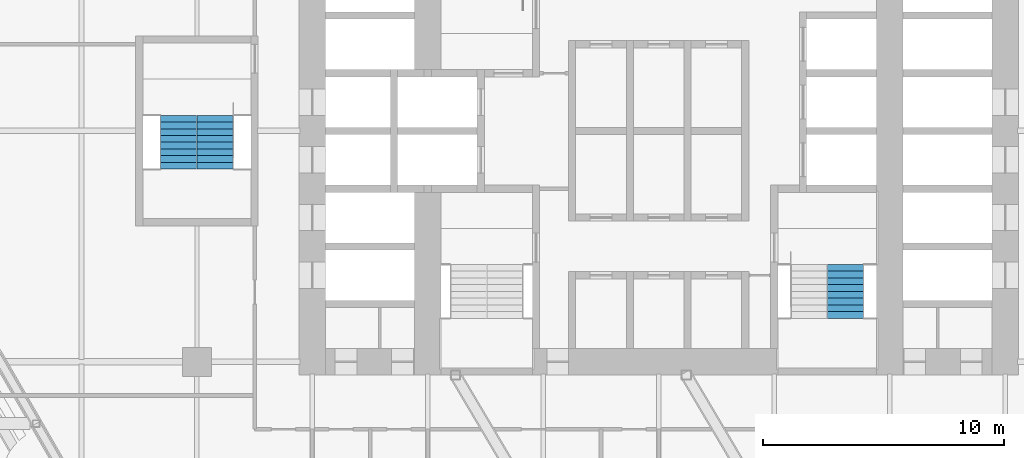
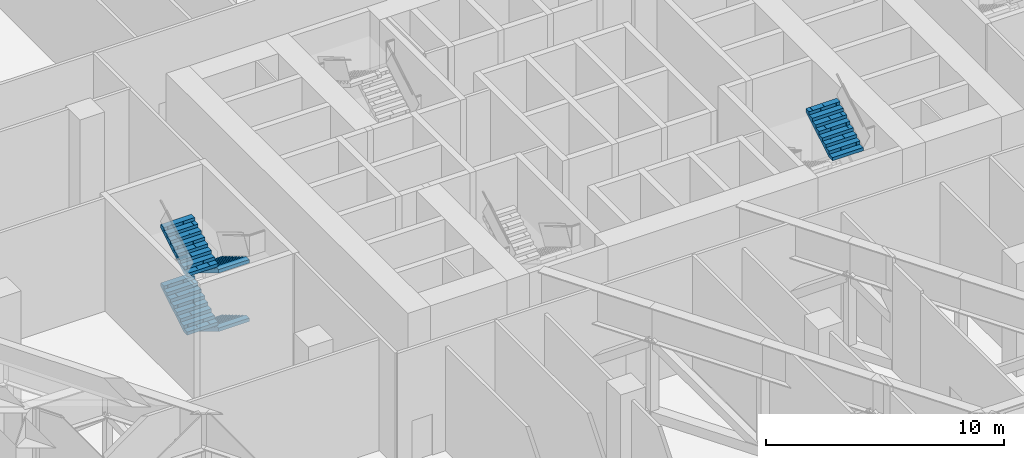
# One storey, part 25 of 35: 5 stair flights, 2 elements without a shape of their own.
"""IFC4 building model written with IfcOpenShell, lengths in metres."""

from ifc_helpers import new_model, si_unit, direction, frame, origin, place, context, subcontext, project, spatial, polyline, outline, extrude, material, type_object, element, aggregate, save


model = new_model("IFC4")

# Units and contexts
model_context = context("Model", 3, precision=1e-05, world=origin(), true_north=direction((0.0, 1.0)))
body_context = subcontext(model_context, "Body", "Model", "MODEL_VIEW")
ifc_project = project(units=[si_unit("LENGTHUNIT", "METRE"), si_unit("AREAUNIT", "SQUARE_METRE"), si_unit("VOLUMEUNIT", "CUBIC_METRE"), si_unit("PLANEANGLEUNIT", "RADIAN"), si_unit("MASSUNIT", "GRAM", prefix="KILO")], contexts=[model_context])

# Site, building, storey
site_placement = place(None, origin())
site = spatial("IfcSite", under=ifc_project, at=site_placement, CompositionType="ELEMENT")
building_placement = place(site_placement, origin())
building = spatial("IfcBuilding", under=site, at=building_placement, Name="Kolab Exchange Tower", CompositionType="ELEMENT")
storey_placement = place(building_placement, frame((0.0, 0.0, 71.89990234375)))
storey = spatial("IfcBuildingStorey", under=building, at=storey_placement, Name="L13", CompositionType="ELEMENT", Elevation=71.89990234375)

# Stair, stair flight
ifc_material = material(Name="Concrete C50/60", Category="concrete")
stair_type_1 = type_object("IfcStairType", Name="STAIR ST2 RISER 166.7", PredefinedType="DOUBLE_RETURN_STAIR", material=ifc_material)
stair_1_placement = place(storey_placement, origin())
stair_1 = element("IfcStair", 1, at=stair_1_placement, inside=storey, type_object=stair_type_1, Name="Stair 2", PredefinedType="DOUBLE_RETURN_STAIR")
stair_flight_type = type_object("IfcStairFlightType", Name="STAIR FLIGHT 1500 RISER 166.7", PredefinedType="STRAIGHT", material=ifc_material)
stair_flight_1_placement = place(storey_placement, frame((7.760009765625, -7.7900390625, 4.5), z_axis=(0.0, 0.0, 1.0), x_axis=(0.0, 1.0, 0.0)))
stair_flight_1 = element("IfcStairFlight", 2, at=stair_flight_1_placement, type_object=stair_flight_type, Name="ST2 flight 4", NumberOfRisers=9, NumberOfTreads=8, PredefinedType="STRAIGHT", RiserHeight=0.166666667, TreadLength=0.28, context=body_context, shape_type="SweptSolid", body=[
    extrude(outline(polyline([(0.0, 0.0), (0.0, 0.166748046875), (0.280029296875, 0.166748046875), (0.280029296875, 0.333251953125), (0.56005859375, 0.333251953125), (0.56005859375, 0.5), (0.840087890625, 0.5), (0.840087890625, 0.666748046875), (1.1201171875, 0.666748046875), (1.1201171875, 0.833251953125), (1.39990234375, 0.833251953125), (1.39990234375, 1.0), (1.679931640625, 1.0), (1.679931640625, 1.166748046875), (1.9599609375, 1.166748046875), (1.9599609375, 1.333251953125), (2.239990234375, 1.333251953125), (2.239990234375, 1.5), (2.239990234375, 1.158935546875), (0.29296875, 0.0), (0.0, 0.0)])), frame((0.0, 0.75, 0.0), z_axis=(0.0, -1.0, 0.0), x_axis=(1.0, 0.0, 0.0)), (0.0, 0.0, 1.0), 0.185791015625),
    extrude(outline(polyline([(0.0, 0.0), (0.0, 0.166748046875), (0.280029296875, 0.166748046875), (0.280029296875, 0.333251953125), (0.56005859375, 0.333251953125), (0.56005859375, 0.5), (0.840087890625, 0.5), (0.840087890625, 0.666748046875), (1.1201171875, 0.666748046875), (1.1201171875, 0.833251953125), (1.39990234375, 0.833251953125), (1.39990234375, 1.0), (1.679931640625, 1.0), (1.679931640625, 1.166748046875), (1.9599609375, 1.166748046875), (1.9599609375, 1.333251953125), (2.239990234375, 1.333251953125), (2.239990234375, 1.5), (2.239990234375, 1.158935546875), (0.29296875, 0.0), (0.0, 0.0)])), frame((0.0, 0.562255859375, 0.0), z_axis=(0.0, -1.0, 0.0), x_axis=(1.0, 0.0, 0.0)), (0.0, 0.0, 1.0), 0.185791015625),
    extrude(outline(polyline([(0.0, 0.0), (0.0, 0.166748046875), (0.280029296875, 0.166748046875), (0.280029296875, 0.333251953125), (0.56005859375, 0.333251953125), (0.56005859375, 0.5), (0.840087890625, 0.5), (0.840087890625, 0.666748046875), (1.1201171875, 0.666748046875), (1.1201171875, 0.833251953125), (1.39990234375, 0.833251953125), (1.39990234375, 1.0), (1.679931640625, 1.0), (1.679931640625, 1.166748046875), (1.9599609375, 1.166748046875), (1.9599609375, 1.333251953125), (2.239990234375, 1.333251953125), (2.239990234375, 1.5), (2.239990234375, 1.158935546875), (0.29296875, 0.0), (0.0, 0.0)])), frame((0.0, 0.37451171875, 0.0), z_axis=(0.0, -1.0, 0.0), x_axis=(1.0, 0.0, 0.0)), (0.0, 0.0, 1.0), 0.185791015625),
    extrude(outline(polyline([(0.0, 0.0), (0.0, 0.166748046875), (0.280029296875, 0.166748046875), (0.280029296875, 0.333251953125), (0.56005859375, 0.333251953125), (0.56005859375, 0.5), (0.840087890625, 0.5), (0.840087890625, 0.666748046875), (1.1201171875, 0.666748046875), (1.1201171875, 0.833251953125), (1.39990234375, 0.833251953125), (1.39990234375, 1.0), (1.679931640625, 1.0), (1.679931640625, 1.166748046875), (1.9599609375, 1.166748046875), (1.9599609375, 1.333251953125), (2.239990234375, 1.333251953125), (2.239990234375, 1.5), (2.239990234375, 1.158935546875), (0.29296875, 0.0), (0.0, 0.0)])), frame((0.0, 0.186767578125, 0.0), z_axis=(0.0, -1.0, 0.0), x_axis=(1.0, 0.0, 0.0)), (0.0, 0.0, 1.0), 0.185791015625),
    extrude(outline(polyline([(0.0, 0.0), (0.0, 0.166748046875), (0.280029296875, 0.166748046875), (0.280029296875, 0.333251953125), (0.56005859375, 0.333251953125), (0.56005859375, 0.5), (0.840087890625, 0.5), (0.840087890625, 0.666748046875), (1.1201171875, 0.666748046875), (1.1201171875, 0.833251953125), (1.39990234375, 0.833251953125), (1.39990234375, 1.0), (1.679931640625, 1.0), (1.679931640625, 1.166748046875), (1.9599609375, 1.166748046875), (1.9599609375, 1.333251953125), (2.239990234375, 1.333251953125), (2.239990234375, 1.5), (2.239990234375, 1.158935546875), (0.29296875, 0.0), (0.0, 0.0)])), frame((0.0, -0.0009765625, 0.0), z_axis=(0.0, -1.0, 0.0), x_axis=(1.0, 0.0, 0.0)), (0.0, 0.0, 1.0), 0.185791015625),
    extrude(outline(polyline([(0.0, 0.0), (0.0, 0.166748046875), (0.280029296875, 0.166748046875), (0.280029296875, 0.333251953125), (0.56005859375, 0.333251953125), (0.56005859375, 0.5), (0.840087890625, 0.5), (0.840087890625, 0.666748046875), (1.1201171875, 0.666748046875), (1.1201171875, 0.833251953125), (1.39990234375, 0.833251953125), (1.39990234375, 1.0), (1.679931640625, 1.0), (1.679931640625, 1.166748046875), (1.9599609375, 1.166748046875), (1.9599609375, 1.333251953125), (2.239990234375, 1.333251953125), (2.239990234375, 1.5), (2.239990234375, 1.158935546875), (0.29296875, 0.0), (0.0, 0.0)])), frame((0.0, -0.188720703125, 0.0), z_axis=(0.0, -1.0, 0.0), x_axis=(1.0, 0.0, 0.0)), (0.0, 0.0, 1.0), 0.185791015625),
    extrude(outline(polyline([(0.0, 0.0), (0.0, 0.166748046875), (0.280029296875, 0.166748046875), (0.280029296875, 0.333251953125), (0.56005859375, 0.333251953125), (0.56005859375, 0.5), (0.840087890625, 0.5), (0.840087890625, 0.666748046875), (1.1201171875, 0.666748046875), (1.1201171875, 0.833251953125), (1.39990234375, 0.833251953125), (1.39990234375, 1.0), (1.679931640625, 1.0), (1.679931640625, 1.166748046875), (1.9599609375, 1.166748046875), (1.9599609375, 1.333251953125), (2.239990234375, 1.333251953125), (2.239990234375, 1.5), (2.239990234375, 1.158935546875), (0.29296875, 0.0), (0.0, 0.0)])), frame((0.0, -0.37646484375, 0.0), z_axis=(0.0, -1.0, 0.0), x_axis=(1.0, 0.0, 0.0)), (0.0, 0.0, 1.0), 0.185791015625),
    extrude(outline(polyline([(0.0, 0.0), (0.0, 0.166748046875), (0.280029296875, 0.166748046875), (0.280029296875, 0.333251953125), (0.56005859375, 0.333251953125), (0.56005859375, 0.5), (0.840087890625, 0.5), (0.840087890625, 0.666748046875), (1.1201171875, 0.666748046875), (1.1201171875, 0.833251953125), (1.39990234375, 0.833251953125), (1.39990234375, 1.0), (1.679931640625, 1.0), (1.679931640625, 1.166748046875), (1.9599609375, 1.166748046875), (1.9599609375, 1.333251953125), (2.239990234375, 1.333251953125), (2.239990234375, 1.5), (2.239990234375, 1.158935546875), (0.29296875, 0.0), (0.0, 0.0)])), frame((0.0, -0.564208984375, 0.0), z_axis=(0.0, -1.0, 0.0), x_axis=(1.0, 0.0, 0.0)), (0.0, 0.0, 1.0), 0.185791015625),
])
aggregate(stair_1, [stair_flight_1])

# Stair, stair flights
stair_type_2 = type_object("IfcStairType", Name="STAIR ST5 RISER 166.7", PredefinedType="DOUBLE_RETURN_STAIR", material=ifc_material)
stair_2_placement = place(storey_placement, origin())
stair_2 = element("IfcStair", 3, at=stair_2_placement, inside=storey, type_object=stair_type_2, Name="Stair 5", PredefinedType="DOUBLE_RETURN_STAIR")
stair_flight_2_placement = place(storey_placement, frame((-18.43994140625, 0.64990234375, 0.0), z_axis=(0.0, 0.0, 1.0), x_axis=(0.0, -1.0, 0.0)))
stair_flight_2 = element("IfcStairFlight", 4, at=stair_flight_2_placement, type_object=stair_flight_type, Name="ST5 flight 1", NumberOfRisers=9, NumberOfTreads=8, PredefinedType="STRAIGHT", RiserHeight=0.166666667, TreadLength=0.28, context=body_context, shape_type="SweptSolid", body=[
    extrude(outline(polyline([(0.0, 0.0), (0.0, 0.166748046875), (0.280029296875, 0.166748046875), (0.280029296875, 0.333251953125), (0.56005859375, 0.333251953125), (0.56005859375, 0.5), (0.840087890625, 0.5), (0.840087890625, 0.666748046875), (1.1201171875, 0.666748046875), (1.1201171875, 0.833251953125), (1.39990234375, 0.833251953125), (1.39990234375, 1.0), (1.679931640625, 1.0), (1.679931640625, 1.166748046875), (1.9599609375, 1.166748046875), (1.9599609375, 1.333251953125), (2.239990234375, 1.333251953125), (2.239990234375, 1.5), (2.239990234375, 1.158935546875), (0.29296875, 0.0), (0.0, 0.0)])), frame((0.0, 0.75, 0.0), z_axis=(0.0, -1.0, 0.0), x_axis=(1.0, 0.0, 0.0)), (0.0, 0.0, 1.0), 0.185791015625),
    extrude(outline(polyline([(0.0, 0.0), (0.0, 0.166748046875), (0.280029296875, 0.166748046875), (0.280029296875, 0.333251953125), (0.56005859375, 0.333251953125), (0.56005859375, 0.5), (0.840087890625, 0.5), (0.840087890625, 0.666748046875), (1.1201171875, 0.666748046875), (1.1201171875, 0.833251953125), (1.39990234375, 0.833251953125), (1.39990234375, 1.0), (1.679931640625, 1.0), (1.679931640625, 1.166748046875), (1.9599609375, 1.166748046875), (1.9599609375, 1.333251953125), (2.239990234375, 1.333251953125), (2.239990234375, 1.5), (2.239990234375, 1.158935546875), (0.29296875, 0.0), (0.0, 0.0)])), frame((0.0, 0.562255859375, 0.0), z_axis=(0.0, -1.0, 0.0), x_axis=(1.0, 0.0, 0.0)), (0.0, 0.0, 1.0), 0.185791015625),
    extrude(outline(polyline([(0.0, 0.0), (0.0, 0.166748046875), (0.280029296875, 0.166748046875), (0.280029296875, 0.333251953125), (0.56005859375, 0.333251953125), (0.56005859375, 0.5), (0.840087890625, 0.5), (0.840087890625, 0.666748046875), (1.1201171875, 0.666748046875), (1.1201171875, 0.833251953125), (1.39990234375, 0.833251953125), (1.39990234375, 1.0), (1.679931640625, 1.0), (1.679931640625, 1.166748046875), (1.9599609375, 1.166748046875), (1.9599609375, 1.333251953125), (2.239990234375, 1.333251953125), (2.239990234375, 1.5), (2.239990234375, 1.158935546875), (0.29296875, 0.0), (0.0, 0.0)])), frame((0.0, 0.37451171875, 0.0), z_axis=(0.0, -1.0, 0.0), x_axis=(1.0, 0.0, 0.0)), (0.0, 0.0, 1.0), 0.185791015625),
    extrude(outline(polyline([(0.0, 0.0), (0.0, 0.166748046875), (0.280029296875, 0.166748046875), (0.280029296875, 0.333251953125), (0.56005859375, 0.333251953125), (0.56005859375, 0.5), (0.840087890625, 0.5), (0.840087890625, 0.666748046875), (1.1201171875, 0.666748046875), (1.1201171875, 0.833251953125), (1.39990234375, 0.833251953125), (1.39990234375, 1.0), (1.679931640625, 1.0), (1.679931640625, 1.166748046875), (1.9599609375, 1.166748046875), (1.9599609375, 1.333251953125), (2.239990234375, 1.333251953125), (2.239990234375, 1.5), (2.239990234375, 1.158935546875), (0.29296875, 0.0), (0.0, 0.0)])), frame((0.0, 0.186767578125, 0.0), z_axis=(0.0, -1.0, 0.0), x_axis=(1.0, 0.0, 0.0)), (0.0, 0.0, 1.0), 0.185791015625),
    extrude(outline(polyline([(0.0, 0.0), (0.0, 0.166748046875), (0.280029296875, 0.166748046875), (0.280029296875, 0.333251953125), (0.56005859375, 0.333251953125), (0.56005859375, 0.5), (0.840087890625, 0.5), (0.840087890625, 0.666748046875), (1.1201171875, 0.666748046875), (1.1201171875, 0.833251953125), (1.39990234375, 0.833251953125), (1.39990234375, 1.0), (1.679931640625, 1.0), (1.679931640625, 1.166748046875), (1.9599609375, 1.166748046875), (1.9599609375, 1.333251953125), (2.239990234375, 1.333251953125), (2.239990234375, 1.5), (2.239990234375, 1.158935546875), (0.29296875, 0.0), (0.0, 0.0)])), frame((0.0, -0.0009765625, 0.0), z_axis=(0.0, -1.0, 0.0), x_axis=(1.0, 0.0, 0.0)), (0.0, 0.0, 1.0), 0.185791015625),
    extrude(outline(polyline([(0.0, 0.0), (0.0, 0.166748046875), (0.280029296875, 0.166748046875), (0.280029296875, 0.333251953125), (0.56005859375, 0.333251953125), (0.56005859375, 0.5), (0.840087890625, 0.5), (0.840087890625, 0.666748046875), (1.1201171875, 0.666748046875), (1.1201171875, 0.833251953125), (1.39990234375, 0.833251953125), (1.39990234375, 1.0), (1.679931640625, 1.0), (1.679931640625, 1.166748046875), (1.9599609375, 1.166748046875), (1.9599609375, 1.333251953125), (2.239990234375, 1.333251953125), (2.239990234375, 1.5), (2.239990234375, 1.158935546875), (0.29296875, 0.0), (0.0, 0.0)])), frame((0.0, -0.188720703125, 0.0), z_axis=(0.0, -1.0, 0.0), x_axis=(1.0, 0.0, 0.0)), (0.0, 0.0, 1.0), 0.185791015625),
    extrude(outline(polyline([(0.0, 0.0), (0.0, 0.166748046875), (0.280029296875, 0.166748046875), (0.280029296875, 0.333251953125), (0.56005859375, 0.333251953125), (0.56005859375, 0.5), (0.840087890625, 0.5), (0.840087890625, 0.666748046875), (1.1201171875, 0.666748046875), (1.1201171875, 0.833251953125), (1.39990234375, 0.833251953125), (1.39990234375, 1.0), (1.679931640625, 1.0), (1.679931640625, 1.166748046875), (1.9599609375, 1.166748046875), (1.9599609375, 1.333251953125), (2.239990234375, 1.333251953125), (2.239990234375, 1.5), (2.239990234375, 1.158935546875), (0.29296875, 0.0), (0.0, 0.0)])), frame((0.0, -0.37646484375, 0.0), z_axis=(0.0, -1.0, 0.0), x_axis=(1.0, 0.0, 0.0)), (0.0, 0.0, 1.0), 0.185791015625),
    extrude(outline(polyline([(0.0, 0.0), (0.0, 0.166748046875), (0.280029296875, 0.166748046875), (0.280029296875, 0.333251953125), (0.56005859375, 0.333251953125), (0.56005859375, 0.5), (0.840087890625, 0.5), (0.840087890625, 0.666748046875), (1.1201171875, 0.666748046875), (1.1201171875, 0.833251953125), (1.39990234375, 0.833251953125), (1.39990234375, 1.0), (1.679931640625, 1.0), (1.679931640625, 1.166748046875), (1.9599609375, 1.166748046875), (1.9599609375, 1.333251953125), (2.239990234375, 1.333251953125), (2.239990234375, 1.5), (2.239990234375, 1.158935546875), (0.29296875, 0.0), (0.0, 0.0)])), frame((0.0, -0.564208984375, 0.0), z_axis=(0.0, -1.0, 0.0), x_axis=(1.0, 0.0, 0.0)), (0.0, 0.0, 1.0), 0.185791015625),
])
stair_flight_3_placement = place(storey_placement, frame((-19.9599609375, -1.590087890625, 1.5), z_axis=(0.0, 0.0, 1.0), x_axis=(0.0, 1.0, 0.0)))
stair_flight_3 = element("IfcStairFlight", 5, at=stair_flight_3_placement, type_object=stair_flight_type, Name="ST5 flight 2", NumberOfRisers=9, NumberOfTreads=8, PredefinedType="STRAIGHT", RiserHeight=0.166666667, TreadLength=0.28, context=body_context, shape_type="SweptSolid", body=[
    extrude(outline(polyline([(0.0, 0.0), (0.0, 0.166748046875), (0.280029296875, 0.166748046875), (0.280029296875, 0.333251953125), (0.56005859375, 0.333251953125), (0.56005859375, 0.5), (0.840087890625, 0.5), (0.840087890625, 0.666748046875), (1.1201171875, 0.666748046875), (1.1201171875, 0.833251953125), (1.39990234375, 0.833251953125), (1.39990234375, 1.0), (1.679931640625, 1.0), (1.679931640625, 1.166748046875), (1.9599609375, 1.166748046875), (1.9599609375, 1.333251953125), (2.239990234375, 1.333251953125), (2.239990234375, 1.5), (2.239990234375, 1.158935546875), (0.29296875, 0.0), (0.0, 0.0)])), frame((0.0, 0.75, 0.0), z_axis=(0.0, -1.0, 0.0), x_axis=(1.0, 0.0, 0.0)), (0.0, 0.0, 1.0), 0.185791015625),
    extrude(outline(polyline([(0.0, 0.0), (0.0, 0.166748046875), (0.280029296875, 0.166748046875), (0.280029296875, 0.333251953125), (0.56005859375, 0.333251953125), (0.56005859375, 0.5), (0.840087890625, 0.5), (0.840087890625, 0.666748046875), (1.1201171875, 0.666748046875), (1.1201171875, 0.833251953125), (1.39990234375, 0.833251953125), (1.39990234375, 1.0), (1.679931640625, 1.0), (1.679931640625, 1.166748046875), (1.9599609375, 1.166748046875), (1.9599609375, 1.333251953125), (2.239990234375, 1.333251953125), (2.239990234375, 1.5), (2.239990234375, 1.158935546875), (0.29296875, 0.0), (0.0, 0.0)])), frame((0.0, 0.562255859375, 0.0), z_axis=(0.0, -1.0, 0.0), x_axis=(1.0, 0.0, 0.0)), (0.0, 0.0, 1.0), 0.185791015625),
    extrude(outline(polyline([(0.0, 0.0), (0.0, 0.166748046875), (0.280029296875, 0.166748046875), (0.280029296875, 0.333251953125), (0.56005859375, 0.333251953125), (0.56005859375, 0.5), (0.840087890625, 0.5), (0.840087890625, 0.666748046875), (1.1201171875, 0.666748046875), (1.1201171875, 0.833251953125), (1.39990234375, 0.833251953125), (1.39990234375, 1.0), (1.679931640625, 1.0), (1.679931640625, 1.166748046875), (1.9599609375, 1.166748046875), (1.9599609375, 1.333251953125), (2.239990234375, 1.333251953125), (2.239990234375, 1.5), (2.239990234375, 1.158935546875), (0.29296875, 0.0), (0.0, 0.0)])), frame((0.0, 0.37451171875, 0.0), z_axis=(0.0, -1.0, 0.0), x_axis=(1.0, 0.0, 0.0)), (0.0, 0.0, 1.0), 0.185791015625),
    extrude(outline(polyline([(0.0, 0.0), (0.0, 0.166748046875), (0.280029296875, 0.166748046875), (0.280029296875, 0.333251953125), (0.56005859375, 0.333251953125), (0.56005859375, 0.5), (0.840087890625, 0.5), (0.840087890625, 0.666748046875), (1.1201171875, 0.666748046875), (1.1201171875, 0.833251953125), (1.39990234375, 0.833251953125), (1.39990234375, 1.0), (1.679931640625, 1.0), (1.679931640625, 1.166748046875), (1.9599609375, 1.166748046875), (1.9599609375, 1.333251953125), (2.239990234375, 1.333251953125), (2.239990234375, 1.5), (2.239990234375, 1.158935546875), (0.29296875, 0.0), (0.0, 0.0)])), frame((0.0, 0.186767578125, 0.0), z_axis=(0.0, -1.0, 0.0), x_axis=(1.0, 0.0, 0.0)), (0.0, 0.0, 1.0), 0.185791015625),
    extrude(outline(polyline([(0.0, 0.0), (0.0, 0.166748046875), (0.280029296875, 0.166748046875), (0.280029296875, 0.333251953125), (0.56005859375, 0.333251953125), (0.56005859375, 0.5), (0.840087890625, 0.5), (0.840087890625, 0.666748046875), (1.1201171875, 0.666748046875), (1.1201171875, 0.833251953125), (1.39990234375, 0.833251953125), (1.39990234375, 1.0), (1.679931640625, 1.0), (1.679931640625, 1.166748046875), (1.9599609375, 1.166748046875), (1.9599609375, 1.333251953125), (2.239990234375, 1.333251953125), (2.239990234375, 1.5), (2.239990234375, 1.158935546875), (0.29296875, 0.0), (0.0, 0.0)])), frame((0.0, -0.0009765625, 0.0), z_axis=(0.0, -1.0, 0.0), x_axis=(1.0, 0.0, 0.0)), (0.0, 0.0, 1.0), 0.185791015625),
    extrude(outline(polyline([(0.0, 0.0), (0.0, 0.166748046875), (0.280029296875, 0.166748046875), (0.280029296875, 0.333251953125), (0.56005859375, 0.333251953125), (0.56005859375, 0.5), (0.840087890625, 0.5), (0.840087890625, 0.666748046875), (1.1201171875, 0.666748046875), (1.1201171875, 0.833251953125), (1.39990234375, 0.833251953125), (1.39990234375, 1.0), (1.679931640625, 1.0), (1.679931640625, 1.166748046875), (1.9599609375, 1.166748046875), (1.9599609375, 1.333251953125), (2.239990234375, 1.333251953125), (2.239990234375, 1.5), (2.239990234375, 1.158935546875), (0.29296875, 0.0), (0.0, 0.0)])), frame((0.0, -0.188720703125, 0.0), z_axis=(0.0, -1.0, 0.0), x_axis=(1.0, 0.0, 0.0)), (0.0, 0.0, 1.0), 0.185791015625),
    extrude(outline(polyline([(0.0, 0.0), (0.0, 0.166748046875), (0.280029296875, 0.166748046875), (0.280029296875, 0.333251953125), (0.56005859375, 0.333251953125), (0.56005859375, 0.5), (0.840087890625, 0.5), (0.840087890625, 0.666748046875), (1.1201171875, 0.666748046875), (1.1201171875, 0.833251953125), (1.39990234375, 0.833251953125), (1.39990234375, 1.0), (1.679931640625, 1.0), (1.679931640625, 1.166748046875), (1.9599609375, 1.166748046875), (1.9599609375, 1.333251953125), (2.239990234375, 1.333251953125), (2.239990234375, 1.5), (2.239990234375, 1.158935546875), (0.29296875, 0.0), (0.0, 0.0)])), frame((0.0, -0.37646484375, 0.0), z_axis=(0.0, -1.0, 0.0), x_axis=(1.0, 0.0, 0.0)), (0.0, 0.0, 1.0), 0.185791015625),
    extrude(outline(polyline([(0.0, 0.0), (0.0, 0.166748046875), (0.280029296875, 0.166748046875), (0.280029296875, 0.333251953125), (0.56005859375, 0.333251953125), (0.56005859375, 0.5), (0.840087890625, 0.5), (0.840087890625, 0.666748046875), (1.1201171875, 0.666748046875), (1.1201171875, 0.833251953125), (1.39990234375, 0.833251953125), (1.39990234375, 1.0), (1.679931640625, 1.0), (1.679931640625, 1.166748046875), (1.9599609375, 1.166748046875), (1.9599609375, 1.333251953125), (2.239990234375, 1.333251953125), (2.239990234375, 1.5), (2.239990234375, 1.158935546875), (0.29296875, 0.0), (0.0, 0.0)])), frame((0.0, -0.564208984375, 0.0), z_axis=(0.0, -1.0, 0.0), x_axis=(1.0, 0.0, 0.0)), (0.0, 0.0, 1.0), 0.185791015625),
])
stair_flight_4_placement = place(storey_placement, frame((-18.43994140625, 0.64990234375, 3.0), z_axis=(0.0, 0.0, 1.0), x_axis=(0.0, -1.0, 0.0)))
stair_flight_4 = element("IfcStairFlight", 6, at=stair_flight_4_placement, type_object=stair_flight_type, Name="ST5 flight 3", NumberOfRisers=9, NumberOfTreads=8, PredefinedType="STRAIGHT", RiserHeight=0.166666667, TreadLength=0.28, context=body_context, shape_type="SweptSolid", body=[
    extrude(outline(polyline([(0.0, 0.0), (0.0, 0.166748046875), (0.280029296875, 0.166748046875), (0.280029296875, 0.333251953125), (0.56005859375, 0.333251953125), (0.56005859375, 0.5), (0.840087890625, 0.5), (0.840087890625, 0.666748046875), (1.1201171875, 0.666748046875), (1.1201171875, 0.833251953125), (1.39990234375, 0.833251953125), (1.39990234375, 1.0), (1.679931640625, 1.0), (1.679931640625, 1.166748046875), (1.9599609375, 1.166748046875), (1.9599609375, 1.333251953125), (2.239990234375, 1.333251953125), (2.239990234375, 1.5), (2.239990234375, 1.158935546875), (0.29296875, 0.0), (0.0, 0.0)])), frame((0.0, 0.75, 0.0), z_axis=(0.0, -1.0, 0.0), x_axis=(1.0, 0.0, 0.0)), (0.0, 0.0, 1.0), 0.185791015625),
    extrude(outline(polyline([(0.0, 0.0), (0.0, 0.166748046875), (0.280029296875, 0.166748046875), (0.280029296875, 0.333251953125), (0.56005859375, 0.333251953125), (0.56005859375, 0.5), (0.840087890625, 0.5), (0.840087890625, 0.666748046875), (1.1201171875, 0.666748046875), (1.1201171875, 0.833251953125), (1.39990234375, 0.833251953125), (1.39990234375, 1.0), (1.679931640625, 1.0), (1.679931640625, 1.166748046875), (1.9599609375, 1.166748046875), (1.9599609375, 1.333251953125), (2.239990234375, 1.333251953125), (2.239990234375, 1.5), (2.239990234375, 1.158935546875), (0.29296875, 0.0), (0.0, 0.0)])), frame((0.0, 0.562255859375, 0.0), z_axis=(0.0, -1.0, 0.0), x_axis=(1.0, 0.0, 0.0)), (0.0, 0.0, 1.0), 0.185791015625),
    extrude(outline(polyline([(0.0, 0.0), (0.0, 0.166748046875), (0.280029296875, 0.166748046875), (0.280029296875, 0.333251953125), (0.56005859375, 0.333251953125), (0.56005859375, 0.5), (0.840087890625, 0.5), (0.840087890625, 0.666748046875), (1.1201171875, 0.666748046875), (1.1201171875, 0.833251953125), (1.39990234375, 0.833251953125), (1.39990234375, 1.0), (1.679931640625, 1.0), (1.679931640625, 1.166748046875), (1.9599609375, 1.166748046875), (1.9599609375, 1.333251953125), (2.239990234375, 1.333251953125), (2.239990234375, 1.5), (2.239990234375, 1.158935546875), (0.29296875, 0.0), (0.0, 0.0)])), frame((0.0, 0.37451171875, 0.0), z_axis=(0.0, -1.0, 0.0), x_axis=(1.0, 0.0, 0.0)), (0.0, 0.0, 1.0), 0.185791015625),
    extrude(outline(polyline([(0.0, 0.0), (0.0, 0.166748046875), (0.280029296875, 0.166748046875), (0.280029296875, 0.333251953125), (0.56005859375, 0.333251953125), (0.56005859375, 0.5), (0.840087890625, 0.5), (0.840087890625, 0.666748046875), (1.1201171875, 0.666748046875), (1.1201171875, 0.833251953125), (1.39990234375, 0.833251953125), (1.39990234375, 1.0), (1.679931640625, 1.0), (1.679931640625, 1.166748046875), (1.9599609375, 1.166748046875), (1.9599609375, 1.333251953125), (2.239990234375, 1.333251953125), (2.239990234375, 1.5), (2.239990234375, 1.158935546875), (0.29296875, 0.0), (0.0, 0.0)])), frame((0.0, 0.186767578125, 0.0), z_axis=(0.0, -1.0, 0.0), x_axis=(1.0, 0.0, 0.0)), (0.0, 0.0, 1.0), 0.185791015625),
    extrude(outline(polyline([(0.0, 0.0), (0.0, 0.166748046875), (0.280029296875, 0.166748046875), (0.280029296875, 0.333251953125), (0.56005859375, 0.333251953125), (0.56005859375, 0.5), (0.840087890625, 0.5), (0.840087890625, 0.666748046875), (1.1201171875, 0.666748046875), (1.1201171875, 0.833251953125), (1.39990234375, 0.833251953125), (1.39990234375, 1.0), (1.679931640625, 1.0), (1.679931640625, 1.166748046875), (1.9599609375, 1.166748046875), (1.9599609375, 1.333251953125), (2.239990234375, 1.333251953125), (2.239990234375, 1.5), (2.239990234375, 1.158935546875), (0.29296875, 0.0), (0.0, 0.0)])), frame((0.0, -0.0009765625, 0.0), z_axis=(0.0, -1.0, 0.0), x_axis=(1.0, 0.0, 0.0)), (0.0, 0.0, 1.0), 0.185791015625),
    extrude(outline(polyline([(0.0, 0.0), (0.0, 0.166748046875), (0.280029296875, 0.166748046875), (0.280029296875, 0.333251953125), (0.56005859375, 0.333251953125), (0.56005859375, 0.5), (0.840087890625, 0.5), (0.840087890625, 0.666748046875), (1.1201171875, 0.666748046875), (1.1201171875, 0.833251953125), (1.39990234375, 0.833251953125), (1.39990234375, 1.0), (1.679931640625, 1.0), (1.679931640625, 1.166748046875), (1.9599609375, 1.166748046875), (1.9599609375, 1.333251953125), (2.239990234375, 1.333251953125), (2.239990234375, 1.5), (2.239990234375, 1.158935546875), (0.29296875, 0.0), (0.0, 0.0)])), frame((0.0, -0.188720703125, 0.0), z_axis=(0.0, -1.0, 0.0), x_axis=(1.0, 0.0, 0.0)), (0.0, 0.0, 1.0), 0.185791015625),
    extrude(outline(polyline([(0.0, 0.0), (0.0, 0.166748046875), (0.280029296875, 0.166748046875), (0.280029296875, 0.333251953125), (0.56005859375, 0.333251953125), (0.56005859375, 0.5), (0.840087890625, 0.5), (0.840087890625, 0.666748046875), (1.1201171875, 0.666748046875), (1.1201171875, 0.833251953125), (1.39990234375, 0.833251953125), (1.39990234375, 1.0), (1.679931640625, 1.0), (1.679931640625, 1.166748046875), (1.9599609375, 1.166748046875), (1.9599609375, 1.333251953125), (2.239990234375, 1.333251953125), (2.239990234375, 1.5), (2.239990234375, 1.158935546875), (0.29296875, 0.0), (0.0, 0.0)])), frame((0.0, -0.37646484375, 0.0), z_axis=(0.0, -1.0, 0.0), x_axis=(1.0, 0.0, 0.0)), (0.0, 0.0, 1.0), 0.185791015625),
    extrude(outline(polyline([(0.0, 0.0), (0.0, 0.166748046875), (0.280029296875, 0.166748046875), (0.280029296875, 0.333251953125), (0.56005859375, 0.333251953125), (0.56005859375, 0.5), (0.840087890625, 0.5), (0.840087890625, 0.666748046875), (1.1201171875, 0.666748046875), (1.1201171875, 0.833251953125), (1.39990234375, 0.833251953125), (1.39990234375, 1.0), (1.679931640625, 1.0), (1.679931640625, 1.166748046875), (1.9599609375, 1.166748046875), (1.9599609375, 1.333251953125), (2.239990234375, 1.333251953125), (2.239990234375, 1.5), (2.239990234375, 1.158935546875), (0.29296875, 0.0), (0.0, 0.0)])), frame((0.0, -0.564208984375, 0.0), z_axis=(0.0, -1.0, 0.0), x_axis=(1.0, 0.0, 0.0)), (0.0, 0.0, 1.0), 0.185791015625),
])
stair_flight_5_placement = place(storey_placement, frame((-19.9599609375, -1.590087890625, 4.5), z_axis=(0.0, 0.0, 1.0), x_axis=(0.0, 1.0, 0.0)))
stair_flight_5 = element("IfcStairFlight", 7, at=stair_flight_5_placement, type_object=stair_flight_type, Name="ST5 flight 4", NumberOfRisers=9, NumberOfTreads=8, PredefinedType="STRAIGHT", RiserHeight=0.166666667, TreadLength=0.28, context=body_context, shape_type="SweptSolid", body=[
    extrude(outline(polyline([(0.0, 0.0), (0.0, 0.166748046875), (0.280029296875, 0.166748046875), (0.280029296875, 0.333251953125), (0.56005859375, 0.333251953125), (0.56005859375, 0.5), (0.840087890625, 0.5), (0.840087890625, 0.666748046875), (1.1201171875, 0.666748046875), (1.1201171875, 0.833251953125), (1.39990234375, 0.833251953125), (1.39990234375, 1.0), (1.679931640625, 1.0), (1.679931640625, 1.166748046875), (1.9599609375, 1.166748046875), (1.9599609375, 1.333251953125), (2.239990234375, 1.333251953125), (2.239990234375, 1.5), (2.239990234375, 1.158935546875), (0.29296875, 0.0), (0.0, 0.0)])), frame((0.0, 0.75, 0.0), z_axis=(0.0, -1.0, 0.0), x_axis=(1.0, 0.0, 0.0)), (0.0, 0.0, 1.0), 0.185791015625),
    extrude(outline(polyline([(0.0, 0.0), (0.0, 0.166748046875), (0.280029296875, 0.166748046875), (0.280029296875, 0.333251953125), (0.56005859375, 0.333251953125), (0.56005859375, 0.5), (0.840087890625, 0.5), (0.840087890625, 0.666748046875), (1.1201171875, 0.666748046875), (1.1201171875, 0.833251953125), (1.39990234375, 0.833251953125), (1.39990234375, 1.0), (1.679931640625, 1.0), (1.679931640625, 1.166748046875), (1.9599609375, 1.166748046875), (1.9599609375, 1.333251953125), (2.239990234375, 1.333251953125), (2.239990234375, 1.5), (2.239990234375, 1.158935546875), (0.29296875, 0.0), (0.0, 0.0)])), frame((0.0, 0.562255859375, 0.0), z_axis=(0.0, -1.0, 0.0), x_axis=(1.0, 0.0, 0.0)), (0.0, 0.0, 1.0), 0.185791015625),
    extrude(outline(polyline([(0.0, 0.0), (0.0, 0.166748046875), (0.280029296875, 0.166748046875), (0.280029296875, 0.333251953125), (0.56005859375, 0.333251953125), (0.56005859375, 0.5), (0.840087890625, 0.5), (0.840087890625, 0.666748046875), (1.1201171875, 0.666748046875), (1.1201171875, 0.833251953125), (1.39990234375, 0.833251953125), (1.39990234375, 1.0), (1.679931640625, 1.0), (1.679931640625, 1.166748046875), (1.9599609375, 1.166748046875), (1.9599609375, 1.333251953125), (2.239990234375, 1.333251953125), (2.239990234375, 1.5), (2.239990234375, 1.158935546875), (0.29296875, 0.0), (0.0, 0.0)])), frame((0.0, 0.37451171875, 0.0), z_axis=(0.0, -1.0, 0.0), x_axis=(1.0, 0.0, 0.0)), (0.0, 0.0, 1.0), 0.185791015625),
    extrude(outline(polyline([(0.0, 0.0), (0.0, 0.166748046875), (0.280029296875, 0.166748046875), (0.280029296875, 0.333251953125), (0.56005859375, 0.333251953125), (0.56005859375, 0.5), (0.840087890625, 0.5), (0.840087890625, 0.666748046875), (1.1201171875, 0.666748046875), (1.1201171875, 0.833251953125), (1.39990234375, 0.833251953125), (1.39990234375, 1.0), (1.679931640625, 1.0), (1.679931640625, 1.166748046875), (1.9599609375, 1.166748046875), (1.9599609375, 1.333251953125), (2.239990234375, 1.333251953125), (2.239990234375, 1.5), (2.239990234375, 1.158935546875), (0.29296875, 0.0), (0.0, 0.0)])), frame((0.0, 0.186767578125, 0.0), z_axis=(0.0, -1.0, 0.0), x_axis=(1.0, 0.0, 0.0)), (0.0, 0.0, 1.0), 0.185791015625),
    extrude(outline(polyline([(0.0, 0.0), (0.0, 0.166748046875), (0.280029296875, 0.166748046875), (0.280029296875, 0.333251953125), (0.56005859375, 0.333251953125), (0.56005859375, 0.5), (0.840087890625, 0.5), (0.840087890625, 0.666748046875), (1.1201171875, 0.666748046875), (1.1201171875, 0.833251953125), (1.39990234375, 0.833251953125), (1.39990234375, 1.0), (1.679931640625, 1.0), (1.679931640625, 1.166748046875), (1.9599609375, 1.166748046875), (1.9599609375, 1.333251953125), (2.239990234375, 1.333251953125), (2.239990234375, 1.5), (2.239990234375, 1.158935546875), (0.29296875, 0.0), (0.0, 0.0)])), frame((0.0, -0.0009765625, 0.0), z_axis=(0.0, -1.0, 0.0), x_axis=(1.0, 0.0, 0.0)), (0.0, 0.0, 1.0), 0.185791015625),
    extrude(outline(polyline([(0.0, 0.0), (0.0, 0.166748046875), (0.280029296875, 0.166748046875), (0.280029296875, 0.333251953125), (0.56005859375, 0.333251953125), (0.56005859375, 0.5), (0.840087890625, 0.5), (0.840087890625, 0.666748046875), (1.1201171875, 0.666748046875), (1.1201171875, 0.833251953125), (1.39990234375, 0.833251953125), (1.39990234375, 1.0), (1.679931640625, 1.0), (1.679931640625, 1.166748046875), (1.9599609375, 1.166748046875), (1.9599609375, 1.333251953125), (2.239990234375, 1.333251953125), (2.239990234375, 1.5), (2.239990234375, 1.158935546875), (0.29296875, 0.0), (0.0, 0.0)])), frame((0.0, -0.188720703125, 0.0), z_axis=(0.0, -1.0, 0.0), x_axis=(1.0, 0.0, 0.0)), (0.0, 0.0, 1.0), 0.185791015625),
    extrude(outline(polyline([(0.0, 0.0), (0.0, 0.166748046875), (0.280029296875, 0.166748046875), (0.280029296875, 0.333251953125), (0.56005859375, 0.333251953125), (0.56005859375, 0.5), (0.840087890625, 0.5), (0.840087890625, 0.666748046875), (1.1201171875, 0.666748046875), (1.1201171875, 0.833251953125), (1.39990234375, 0.833251953125), (1.39990234375, 1.0), (1.679931640625, 1.0), (1.679931640625, 1.166748046875), (1.9599609375, 1.166748046875), (1.9599609375, 1.333251953125), (2.239990234375, 1.333251953125), (2.239990234375, 1.5), (2.239990234375, 1.158935546875), (0.29296875, 0.0), (0.0, 0.0)])), frame((0.0, -0.37646484375, 0.0), z_axis=(0.0, -1.0, 0.0), x_axis=(1.0, 0.0, 0.0)), (0.0, 0.0, 1.0), 0.185791015625),
    extrude(outline(polyline([(0.0, 0.0), (0.0, 0.166748046875), (0.280029296875, 0.166748046875), (0.280029296875, 0.333251953125), (0.56005859375, 0.333251953125), (0.56005859375, 0.5), (0.840087890625, 0.5), (0.840087890625, 0.666748046875), (1.1201171875, 0.666748046875), (1.1201171875, 0.833251953125), (1.39990234375, 0.833251953125), (1.39990234375, 1.0), (1.679931640625, 1.0), (1.679931640625, 1.166748046875), (1.9599609375, 1.166748046875), (1.9599609375, 1.333251953125), (2.239990234375, 1.333251953125), (2.239990234375, 1.5), (2.239990234375, 1.158935546875), (0.29296875, 0.0), (0.0, 0.0)])), frame((0.0, -0.564208984375, 0.0), z_axis=(0.0, -1.0, 0.0), x_axis=(1.0, 0.0, 0.0)), (0.0, 0.0, 1.0), 0.185791015625),
])
aggregate(stair_2, [stair_flight_2, stair_flight_3, stair_flight_4, stair_flight_5])

save(model, "model.ifc")
